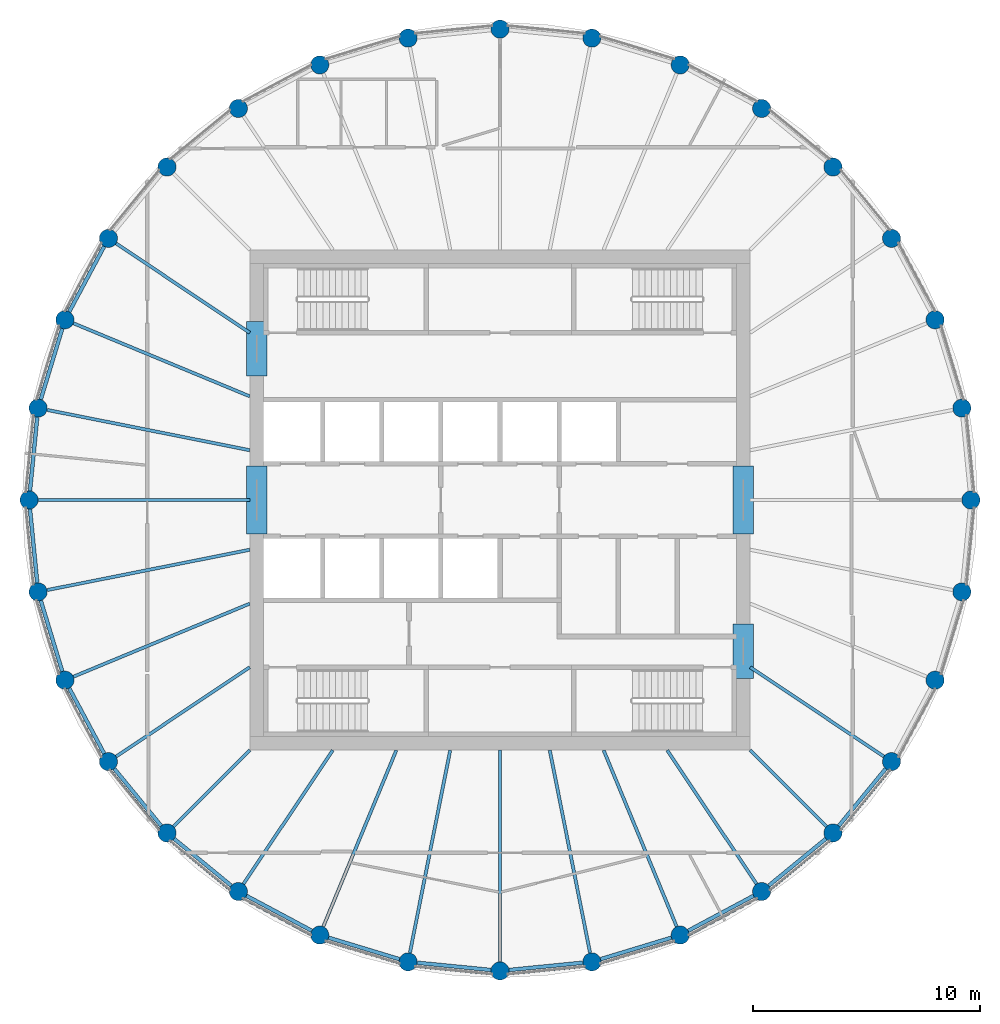
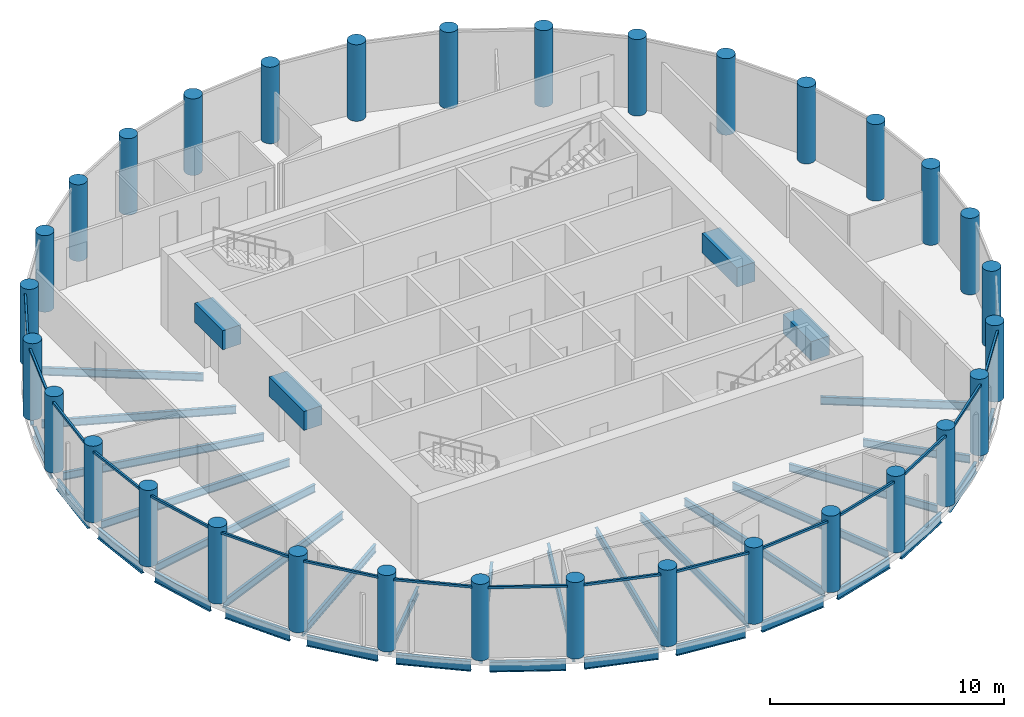
# One storey, part 1 of 7: 37 beams, 32 columns, 16 members, 16 elements without a shape of their own.
"""IFC4 building model written with IfcOpenShell, lengths in metres."""

import ifcopenshell
import ifcopenshell.guid

model = None  # the IFC model being written
_history = None  # IfcOwnerHistory: only IFC2X3 demands one
_inside = {}  # id of a spatial element -> (the spatial element, [elements in it])
_under = {}  # id of a project, library or spatial element -> (it, [spatial elements below it])
_declared = {}  # id of a project -> (the project, [libraries it declares])
_typed = {}  # id of a type object -> (the type object, [elements of that type])
_made_of = {}  # id of a material, layer set ... -> (it, [elements and type objects made of it])


def new_model(schema):
    """Start an empty IFC model of exactly this schema.

    Asked for "IFC4X3", IfcOpenShell would pick the latest addendum, in which some entities
    have other attributes; the version numbers below select the first issue.
    IFC2X3 requires an IfcOwnerHistory on every rooted entity: one is made here for all.
    """
    global model, _history
    if schema == "IFC4X3":
        model = ifcopenshell.file(schema_version=(4, 3, 0, 0))
    else:
        model = ifcopenshell.file(schema=schema)
    _inside.clear()
    _under.clear()
    _declared.clear()
    _typed.clear()
    _made_of.clear()
    _history = None
    if model.schema == "IFC2X3":
        org = make("IfcOrganization", Name="unknown")
        user = make(
            "IfcPersonAndOrganization",
            ThePerson=make("IfcPerson", FamilyName="unknown"),
            TheOrganization=org,
        )
        app = make(
            "IfcApplication",
            ApplicationDeveloper=org,
            Version="unknown",
            ApplicationFullName="unknown",
            ApplicationIdentifier="unknown",
        )
        _history = make(
            "IfcOwnerHistory",
            OwningUser=user,
            OwningApplication=app,
            ChangeAction="ADDED",
            CreationDate=0,
        )
    return model


def make(cls, **values):
    """One entity of the class cls with the attributes given. An attribute that is None is left unset."""
    return model.create_entity(
        cls, **{name: value for name, value in values.items() if value is not None}
    )


def rooted(cls, **values):
    """An entity with a GlobalId (a new one), such as an element, a storey or a relation."""
    return make(cls, GlobalId=ifcopenshell.guid.new(), OwnerHistory=_history, **values)


def si_unit(unit_type, name, prefix=None):
    """IfcSIUnit, for example si_unit("LENGTHUNIT", "METRE", prefix="MILLI")."""
    return make("IfcSIUnit", UnitType=unit_type, Prefix=prefix, Name=name)


def assignment(units):
    """IfcUnitAssignment: the units of a project."""
    return None if units is None else make("IfcUnitAssignment", Units=units)


def point(xyz):
    """IfcCartesianPoint."""
    return None if xyz is None else make("IfcCartesianPoint", Coordinates=xyz)


def direction(xyz):
    """IfcDirection."""
    return None if xyz is None else make("IfcDirection", DirectionRatios=xyz)


def frame(location, z_axis=None, x_axis=None):
    """IfcAxis2Placement3D, a coordinate frame: its origin and axes. An axis left out is left unset."""
    return make(
        "IfcAxis2Placement3D",
        Location=point(location),
        Axis=direction(z_axis),
        RefDirection=direction(x_axis),
    )


def frame_2d(location, x_axis=None):
    """IfcAxis2Placement2D, a coordinate frame in the plane: its origin and x axis."""
    return make(
        "IfcAxis2Placement2D", Location=point(location), RefDirection=direction(x_axis)
    )


def origin():
    """The frame at (0, 0, 0) with its axes left unset."""
    return frame((0.0, 0.0, 0.0))


def origin_2d():
    """The frame at (0, 0) in the plane with its x axis left unset."""
    return frame_2d((0.0, 0.0))


def place(relative_to, where):
    """IfcLocalPlacement: puts the frame where relative to a parent placement (None: the world)."""
    return make(
        "IfcLocalPlacement", PlacementRelTo=relative_to, RelativePlacement=where
    )


def context(
    kind, dimensions, precision=None, world=None, true_north=None, identifier=None
):
    """IfcGeometricRepresentationContext, for example the 3D "Model" context."""
    return make(
        "IfcGeometricRepresentationContext",
        ContextIdentifier=identifier,
        ContextType=kind,
        CoordinateSpaceDimension=dimensions,
        Precision=precision,
        WorldCoordinateSystem=world,
        TrueNorth=true_north,
    )


def subcontext(parent, identifier, kind, view, scale=None):
    """IfcGeometricRepresentationSubContext, for example "Body" below "Model"."""
    return make(
        "IfcGeometricRepresentationSubContext",
        ContextIdentifier=identifier,
        ContextType=kind,
        ParentContext=parent,
        TargetScale=scale,
        TargetView=view,
    )


def project(units=None, contexts=None):
    """IfcProject with its units and contexts."""
    return rooted(
        "IfcProject",
        Name="project",
        RepresentationContexts=contexts,
        UnitsInContext=assignment(units),
    )


def spatial(cls, under=None, at=None, **own):
    """A site, building, storey or space (cls), placed at a placement, below another one or the project."""
    s = rooted(cls, ObjectPlacement=at, **own)
    if under is not None:
        _under.setdefault(under.id(), (under, []))[1].append(s)
    return s


def profile(cls, at=None, kind="AREA", **sizes):
    """A parametric profile (cls). Its sizes go by their IFC names, for example OverallWidth=200.0."""
    return make(cls, ProfileType=kind, Position=at, **sizes)


def rectangle(**sizes):
    """IfcRectangleProfileDef."""
    return profile("IfcRectangleProfileDef", **sizes)


def circle(**sizes):
    """IfcCircleProfileDef."""
    return profile("IfcCircleProfileDef", **sizes)


def i_section(**sizes):
    """IfcIShapeProfileDef."""
    return profile("IfcIShapeProfileDef", **sizes)


def extrude(swept, where, along, depth):
    """IfcExtrudedAreaSolid: the profile swept, set in the frame where, extruded along a direction by depth."""
    return make(
        "IfcExtrudedAreaSolid",
        SweptArea=swept,
        Position=where,
        ExtrudedDirection=direction(along),
        Depth=depth,
    )


def shape(context_of_items, identifier, shape_type, items):
    """IfcShapeRepresentation: the items that make up one representation, for example the "Body"."""
    return make(
        "IfcShapeRepresentation",
        ContextOfItems=context_of_items,
        RepresentationIdentifier=identifier,
        RepresentationType=shape_type,
        Items=items,
    )


def material(Name=None, Category=None):
    """IfcMaterial."""
    return make("IfcMaterial", Name=Name, Category=Category)


def material_profile(
    of_material, cross_section, Name=None, Category=None, Priority=None
):
    """IfcMaterialProfile: a cross section and its material."""
    return make(
        "IfcMaterialProfile",
        Name=Name,
        Material=of_material,
        Profile=cross_section,
        Priority=Priority,
        Category=Category,
    )


def profile_set(profiles, Name=None, composite=None):
    """IfcMaterialProfileSet."""
    return make(
        "IfcMaterialProfileSet",
        Name=Name,
        MaterialProfiles=profiles,
        CompositeProfile=composite,
    )


def made_of(thing, what):
    """Note that an element or type object is made of a material, layer set ...; save() writes the relation."""
    if what is not None:
        _made_of.setdefault(what.id(), (what, []))[1].append(thing)
    return thing


def type_object(cls, material=None, **own):
    """A type object (cls), such as IfcWallType, which elements share."""
    return made_of(rooted(cls, **own), material)


def element(
    cls,
    number,
    at=None,
    inside=None,
    cuts=None,
    type_object=None,
    material=None,
    context=None,
    identifier="Body",
    shape_type=None,
    held_by="IfcProductDefinitionShape",
    body=None,
    shapes=None,
    **own,
):
    """One element of the class cls, such as IfcWall. Its Tag is "e" and its number.

    at: its placement. inside: the storey or other place that contains it. cuts: it is an
    opening in that element (IfcRelVoidsElement). A single representation is given by context,
    identifier, shape_type and body (its items); several are given by shapes. held_by: the class
    of the entity that holds the representations. save() writes the other relations.
    """
    e = rooted(cls, Tag="e%d" % number, ObjectPlacement=at, **own)
    if body is not None:
        shapes = [shape(context, identifier, shape_type, body)]
    if shapes is not None:
        e.Representation = make(held_by, Representations=shapes)
    if inside is not None:
        _inside.setdefault(inside.id(), (inside, []))[1].append(e)
    if cuts is not None:
        rooted(
            "IfcRelVoidsElement", RelatingBuildingElement=cuts, RelatedOpeningElement=e
        )
    if type_object is not None:
        _typed.setdefault(type_object.id(), (type_object, []))[1].append(e)
    return made_of(e, material)


def aggregate(whole, parts):
    """IfcRelAggregates: a whole, such as a stair, and the parts it consists of."""
    return rooted("IfcRelAggregates", RelatingObject=whole, RelatedObjects=parts)


def save(model, path):
    """Write the relations noted so far, then the file.

    IfcRelAggregates (storeys below a building ...), IfcRelContainedInSpatialStructure (elements
    in a storey), IfcRelDefinesByType, IfcRelAssociatesMaterial and IfcRelDeclares: one each for
    every whole, place, type object, material and project.
    """
    for whole, parts in _under.values():
        aggregate(whole, parts)
    for where, things in _inside.values():
        rooted(
            "IfcRelContainedInSpatialStructure",
            RelatedElements=things,
            RelatingStructure=where,
        )
    for kind, things in _typed.values():
        rooted("IfcRelDefinesByType", RelatedObjects=things, RelatingType=kind)
    for what, things in _made_of.values():
        rooted("IfcRelAssociatesMaterial", RelatedObjects=things, RelatingMaterial=what)
    for by, libraries in _declared.values():
        rooted("IfcRelDeclares", RelatingContext=by, RelatedDefinitions=libraries)
    model.write(path)


model = new_model("IFC4")

# Units and contexts
model_context = context("Model", 3, precision=1e-05, world=origin(), true_north=direction((0.0, 1.0)))
body_context = subcontext(model_context, "Body", "Model", "MODEL_VIEW")
ifc_project = project(units=[si_unit("LENGTHUNIT", "METRE"), si_unit("AREAUNIT", "SQUARE_METRE"), si_unit("VOLUMEUNIT", "CUBIC_METRE"), si_unit("PLANEANGLEUNIT", "RADIAN"), si_unit("MASSUNIT", "GRAM", prefix="KILO")], contexts=[model_context])

# Site, building, storey
site_placement = place(None, origin())
site = spatial("IfcSite", under=ifc_project, at=site_placement, CompositionType="ELEMENT")
building_placement = place(site_placement, origin())
building = spatial("IfcBuilding", under=site, at=building_placement, Name="Corvane Civic Tower", CompositionType="ELEMENT")
storey_placement = place(building_placement, frame((0.0, 0.0, 364.5)))
storey = spatial("IfcBuildingStorey", under=building, at=storey_placement, Name="L87", CompositionType="ELEMENT", Elevation=364.5)

# Columns
ifc_material_1 = material(Name="Concrete C60/75", Category="concrete")
ifc_material_profile_1 = material_profile(ifc_material_1, circle(Radius=0.39990234375, at=origin_2d()), Name="COLUMN 800")
ifc_profile_set_1 = profile_set([ifc_material_profile_1], Name="Concrete C60/75")
column_type = type_object("IfcColumnType", Name="RC COLUMN COLUMN 800", PredefinedType="COLUMN", material=ifc_profile_set_1)
for number, where, z_axis, x_axis, name in (
    (1, (0.0, 20.699951171875, 0.0), (0.0, 0.0, 1.0), (1.0, 0.0, 0.0), "COL-L87-F01"),
    (2, (4.038330078125, 20.30224609375, 0.0), (0.0, 0.0, 1.0), (1.0, 0.0, 0.0), "COL-L87-F02"),
    (3, (7.921630859375, 19.124267578125, 0.0), (0.0, 0.0, 1.0), (1.0, 0.0, 0.0), "COL-L87-F03"),
    (4, (11.500244140625, 17.21142578125, 0.0), (0.0, 0.0, 1.0), (1.0, 0.0, 0.0), "COL-L87-F04"),
    (5, (14.63720703125, 14.63720703125, 0.0), (0.0, 0.0, 1.0), (1.0, 0.0, 0.0), "COL-L87-F05"),
    (6, (17.21142578125, 11.500244140625, 0.0), (0.0, 0.0, 1.0), (1.0, 0.0, 0.0), "COL-L87-F06"),
    (7, (19.124267578125, 7.921630859375, 0.0), (0.0, 0.0, 1.0), (1.0, 0.0, 0.0), "COL-L87-F07"),
    (8, (20.30224609375, 4.038330078125, 0.0), (0.0, 0.0, 1.0), (1.0, 0.0, 0.0), "COL-L87-F08"),
    (9, (20.699951171875, 0.0, 0.0), (0.0, 0.0, 1.0), (1.0, 0.0, 0.0), "COL-L87-F09"),
    (10, (20.30224609375, -4.038330078125, 0.0), (0.0, 0.0, 1.0), (1.0, 0.0, 0.0), "COL-L87-F10"),
    (11, (19.124267578125, -7.921630859375, 0.0), (0.0, 0.0, 1.0), (1.0, 0.0, 0.0), "COL-L87-F11"),
    (12, (17.21142578125, -11.500244140625, 0.0), (0.0, 0.0, 1.0), (1.0, 0.0, 0.0), "COL-L87-F12"),
    (13, (14.63720703125, -14.63720703125, 0.0), (0.0, 0.0, 1.0), (1.0, 0.0, 0.0), "COL-L87-F13"),
    (14, (11.500244140625, -17.21142578125, 0.0), (0.0, 0.0, 1.0), (1.0, 0.0, 0.0), "COL-L87-F14"),
    (15, (7.921630859375, -19.124267578125, 0.0), (0.0, 0.0, 1.0), (1.0, 0.0, 0.0), "COL-L87-F15"),
    (16, (4.038330078125, -20.30224609375, 0.0), (0.0, 0.0, 1.0), (1.0, 0.0, 0.0), "COL-L87-F16"),
    (17, (0.0, -20.699951171875, 0.0), (0.0, 0.0, 1.0), (1.0, 0.0, 0.0), "COL-L87-F17"),
    (18, (-4.038330078125, -20.30224609375, 0.0), (0.0, 0.0, 1.0), (1.0, 0.0, 0.0), "COL-L87-F18"),
    (19, (-7.921630859375, -19.124267578125, 0.0), (0.0, 0.0, 1.0), (1.0, 0.0, 0.0), "COL-L87-F19"),
    (20, (-11.500244140625, -17.21142578125, 0.0), (0.0, 0.0, 1.0), (1.0, 0.0, 0.0), "COL-L87-F20"),
    (21, (-14.63720703125, -14.63720703125, 0.0), (0.0, 0.0, 1.0), (1.0, 0.0, 0.0), "COL-L87-F21"),
    (22, (-17.21142578125, -11.500244140625, 0.0), (0.0, 0.0, 1.0), (1.0, 0.0, 0.0), "COL-L87-F22"),
    (23, (-19.124267578125, -7.921630859375, 0.0), (0.0, 0.0, 1.0), (1.0, 0.0, 0.0), "COL-L87-F23"),
    (24, (-20.30224609375, -4.038330078125, 0.0), (0.0, 0.0, 1.0), (1.0, 0.0, 0.0), "COL-L87-F24"),
    (25, (-20.699951171875, 0.0, 0.0), (0.0, 0.0, 1.0), (1.0, 0.0, 0.0), "COL-L87-F25"),
    (26, (-20.30224609375, 4.038330078125, 0.0), (0.0, 0.0, 1.0), (1.0, 0.0, 0.0), "COL-L87-F26"),
    (27, (-19.124267578125, 7.921630859375, 0.0), (0.0, 0.0, 1.0), (1.0, 0.0, 0.0), "COL-L87-F27"),
    (28, (-17.21142578125, 11.500244140625, 0.0), (0.0, 0.0, 1.0), (1.0, 0.0, 0.0), "COL-L87-F28"),
    (29, (-14.63720703125, 14.63720703125, 0.0), (0.0, 0.0, 1.0), (1.0, 0.0, 0.0), "COL-L87-F29"),
    (30, (-11.500244140625, 17.21142578125, 0.0), (0.0, 0.0, 1.0), (1.0, 0.0, 0.0), "COL-L87-F30"),
    (31, (-7.921630859375, 19.124267578125, 0.0), (0.0, 0.0, 1.0), (1.0, 0.0, 0.0), "COL-L87-F31"),
    (32, (-4.038330078125, 20.30224609375, 0.0), (0.0, 0.0, 1.0), (1.0, 0.0, 0.0), "COL-L87-F32"),
):
    element("IfcColumn", number, at=place(storey_placement, frame(where, z_axis=z_axis, x_axis=x_axis)), inside=storey, type_object=column_type, Name=name, PredefinedType="COLUMN", context=body_context, shape_type="SweptSolid", body=[
        extrude(circle(Radius=0.39990234375, at=origin_2d()), origin(), (0.0, 0.0, 1.0), 4.0),
    ])

# Beams
ifc_material_2 = material(Name="Concrete C40/50", Category="concrete")
ifc_material_profile_2 = material_profile(ifc_material_2, rectangle(XDim=0.89990234375, YDim=1.0, at=origin_2d()), Name="COUPLING BEAM 900X1000")
ifc_profile_set_2 = profile_set([ifc_material_profile_2], Name="Concrete C40/50")
beam_type_1 = type_object("IfcBeamType", Name="COUPLING BEAM COUPLING BEAM 900X1000", PredefinedType="BEAM", material=ifc_profile_set_2)
for number, where, z_axis, x_axis, name in (
    (33, (-10.699951171875, -1.5, 2.60009765625), (0.0, 1.0, 0.0), (-1.0, 0.0, 0.0), "BM-L87-cpl-CW-LW"),
    (34, (10.699951171875, -1.5, 2.60009765625), (0.0, 1.0, 0.0), (-1.0, 0.0, 0.0), "BM-L87-cpl-CW-LE"),
):
    element("IfcBeam", number, at=place(storey_placement, frame(where, z_axis=z_axis, x_axis=x_axis)), inside=storey, type_object=beam_type_1, Name=name, PredefinedType="BEAM", context=body_context, shape_type="SweptSolid", body=[
        extrude(rectangle(XDim=0.89990234375, YDim=1.0, at=origin_2d()), origin(), (0.0, 0.0, 1.0), 3.0),
    ])
for number, where, z_axis, x_axis, name in (
    (35, (-10.699951171875, 5.449951171875, 2.60009765625), (0.0, 1.0, 0.0), (-1.0, 0.0, 0.0), "BM-L87-cpl-CW-WN"),
    (36, (10.699951171875, -7.85009765625, 2.60009765625), (0.0, 1.0, 0.0), (-1.0, 0.0, 0.0), "BM-L87-cpl-CW-ES"),
):
    element("IfcBeam", number, at=place(storey_placement, frame(where, z_axis=z_axis, x_axis=x_axis)), inside=storey, type_object=beam_type_1, Name=name, PredefinedType="BEAM", context=body_context, shape_type="SweptSolid", body=[
        extrude(rectangle(XDim=0.89990234375, YDim=1.0, at=origin_2d()), origin(), (0.0, 0.0, 1.0), 2.400146484375),
    ])
ifc_material_3 = material(Name="Steel ASTM A992 Gr 50", Category="steel")
ifc_material_profile_3 = material_profile(ifc_material_3, i_section(OverallWidth=0.165771484375, OverallDepth=0.5283203125, WebThickness=0.009765625, FlangeThickness=0.013671875, at=origin_2d()), Name="W21X50")
ifc_profile_set_3 = profile_set([ifc_material_profile_3], Name="Steel ASTM A992 Gr 50")
beam_type_2 = type_object("IfcBeamType", Name="EDGE BEAM W21X50", PredefinedType="BEAM", material=ifc_profile_set_3)
for number, where, z_axis, x_axis, name in (
    (37, (16.957763671875, -11.8095703125, -0.564208984375), (-0.634424551454, -0.772984791903, 0.0), (0.772984791903, -0.634424551454, 0.0), "BM-L87-E12"),
    (38, (14.327880859375, -14.890869140625, -0.564208984375), (-0.772984791903, -0.634424551454, 0.0), (0.634424551454, -0.772984791903, 0.0), "BM-L87-E13"),
    (39, (11.1474609375, -17.39990234375, -0.564208984375), (-0.881894065907, -0.471447618, 0.0), (0.471447618, -0.881894065907, 0.0), "BM-L87-E14"),
    (40, (7.538818359375, -19.240478515625, -0.564208984375), (-0.956955679349, -0.290234091317, 0.0), (0.290234091317, -0.956955679349, 0.0), "BM-L87-E15"),
):
    element("IfcBeam", number, at=place(storey_placement, frame(where, z_axis=z_axis, x_axis=x_axis)), inside=storey, type_object=beam_type_2, Name=name, PredefinedType="BEAM", context=body_context, shape_type="SweptSolid", body=[
        extrude(i_section(OverallWidth=0.165771484375, OverallDepth=0.5283203125, WebThickness=0.009765625, FlangeThickness=0.013671875, at=origin_2d()), origin(), (0.0, 0.0, 1.0), 3.2578125),
    ])
for number, where, z_axis, x_axis, name in (
    (41, (3.640380859375, -20.341552734375, -0.564208984375), (-0.995192503142, -0.097938152369, 0.0), (0.097938152369, -0.995192503142, 0.0), "BM-L87-E16"),
    (42, (-0.39794921875, -20.66064453125, -0.564208984375), (-0.995192503142, 0.097938152369, 0.0), (-0.097938152369, -0.995192503142, 0.0), "BM-L87-E17"),
):
    element("IfcBeam", number, at=place(storey_placement, frame(where, z_axis=z_axis, x_axis=x_axis)), inside=storey, type_object=beam_type_2, Name=name, PredefinedType="BEAM", context=body_context, shape_type="SweptSolid", body=[
        extrude(i_section(OverallWidth=0.165771484375, OverallDepth=0.5283203125, WebThickness=0.009765625, FlangeThickness=0.013671875, at=origin_2d()), origin(), (0.0, 0.0, 1.0), 3.258056640625),
    ])
for number, where, z_axis, x_axis, name in (
    (43, (-4.421142578125, -20.18603515625, -0.564208984375), (-0.956955679349, 0.290234091317, 0.0), (-0.290234091317, -0.956955679349, 0.0), "BM-L87-E18"),
    (44, (-8.2744140625, -18.935791015625, -0.564208984375), (-0.881894065907, 0.471447618, 0.0), (-0.471447618, -0.881894065907, 0.0), "BM-L87-E19"),
    (45, (-11.8095703125, -16.957763671875, -0.564208984375), (-0.772984791903, 0.634424551454, 0.0), (-0.634424551454, -0.772984791903, 0.0), "BM-L87-E20"),
    (46, (-14.890869140625, -14.327880859375, -0.564208984375), (-0.634424551454, 0.772984791903, 0.0), (-0.772984791903, -0.634424551454, 0.0), "BM-L87-E21"),
    (47, (-17.39990234375, -11.1474609375, -0.564208984375), (-0.471447618, 0.881894065907, 0.0), (-0.881894065907, -0.471447618, 0.0), "BM-L87-E22"),
    (48, (-19.240478515625, -7.538818359375, -0.564208984375), (-0.290234091317, 0.956955679349, 0.0), (-0.956955679349, -0.290234091317, 0.0), "BM-L87-E23"),
):
    element("IfcBeam", number, at=place(storey_placement, frame(where, z_axis=z_axis, x_axis=x_axis)), inside=storey, type_object=beam_type_2, Name=name, PredefinedType="BEAM", context=body_context, shape_type="SweptSolid", body=[
        extrude(i_section(OverallWidth=0.165771484375, OverallDepth=0.5283203125, WebThickness=0.009765625, FlangeThickness=0.013671875, at=origin_2d()), origin(), (0.0, 0.0, 1.0), 3.2578125),
    ])
for number, where, z_axis, x_axis, name in (
    (49, (-20.341552734375, -3.640380859375, -0.564208984375), (-0.097938152369, 0.995192503142, 0.0), (-0.995192503142, -0.097938152369, 0.0), "BM-L87-E24"),
    (50, (-20.66064453125, 0.39794921875, -0.564208984375), (0.097938152369, 0.995192503142, 0.0), (-0.995192503142, 0.097938152369, 0.0), "BM-L87-E25"),
):
    element("IfcBeam", number, at=place(storey_placement, frame(where, z_axis=z_axis, x_axis=x_axis)), inside=storey, type_object=beam_type_2, Name=name, PredefinedType="BEAM", context=body_context, shape_type="SweptSolid", body=[
        extrude(i_section(OverallWidth=0.165771484375, OverallDepth=0.5283203125, WebThickness=0.009765625, FlangeThickness=0.013671875, at=origin_2d()), origin(), (0.0, 0.0, 1.0), 3.258056640625),
    ])
for number, where, z_axis, x_axis, name in (
    (51, (-20.18603515625, 4.421142578125, -0.564208984375), (0.290234091317, 0.956955679349, 0.0), (-0.956955679349, 0.290234091317, 0.0), "BM-L87-E26"),
    (52, (-18.935791015625, 8.2744140625, -0.564208984375), (0.471447618, 0.881894065907, 0.0), (-0.881894065907, 0.471447618, 0.0), "BM-L87-E27"),
):
    element("IfcBeam", number, at=place(storey_placement, frame(where, z_axis=z_axis, x_axis=x_axis)), inside=storey, type_object=beam_type_2, Name=name, PredefinedType="BEAM", context=body_context, shape_type="SweptSolid", body=[
        extrude(i_section(OverallWidth=0.165771484375, OverallDepth=0.5283203125, WebThickness=0.009765625, FlangeThickness=0.013671875, at=origin_2d()), origin(), (0.0, 0.0, 1.0), 3.2578125),
    ])
ifc_material_4 = material(Name="Steel ASTM A992 Gr 50", Category="steel")
ifc_material_profile_4 = material_profile(ifc_material_4, i_section(OverallWidth=0.140380859375, OverallDepth=0.40380859375, WebThickness=0.007080078125, FlangeThickness=0.01123046875, at=origin_2d()), Name="W16X31")
ifc_profile_set_4 = profile_set([ifc_material_profile_4], Name="Steel ASTM A992 Gr 50")
beam_type_3 = type_object("IfcBeamType", Name="FLOOR GIRDER W16X31", PredefinedType="BEAM", material=ifc_profile_set_4)
beam_1_placement = place(storey_placement, frame((11.0, -7.349853515625, -0.501953125), z_axis=(0.831465490699, -0.555576401385, 0.0), x_axis=(0.555576401385, 0.831465490699, 0.0)))
element("IfcBeam", 53, at=beam_1_placement, inside=storey, type_object=beam_type_3, Name="BM-L87-G12", PredefinedType="BEAM", context=body_context, shape_type="SweptSolid", body=[
    extrude(i_section(OverallWidth=0.140380859375, OverallDepth=0.40380859375, WebThickness=0.007080078125, FlangeThickness=0.01123046875, at=origin_2d()), origin(), (0.0, 0.0, 1.0), 7.070556640625),
])
beam_2_placement = place(storey_placement, frame((11.0, -11.0, -0.501953125), z_axis=(0.707106781187, -0.707106781187, 0.0), x_axis=(0.707106781187, 0.707106781187, 0.0)))
element("IfcBeam", 54, at=beam_2_placement, inside=storey, type_object=beam_type_3, Name="BM-L87-G13", PredefinedType="BEAM", context=body_context, shape_type="SweptSolid", body=[
    extrude(i_section(OverallWidth=0.140380859375, OverallDepth=0.40380859375, WebThickness=0.007080078125, FlangeThickness=0.01123046875, at=origin_2d()), origin(), (0.0, 0.0, 1.0), 4.74365234375),
])
beam_3_placement = place(storey_placement, frame((7.349853515625, -11.0, -0.501953125), z_axis=(0.555576401385, -0.831465490699, 0.0), x_axis=(0.831465490699, 0.555576401385, 0.0)))
element("IfcBeam", 55, at=beam_3_placement, inside=storey, type_object=beam_type_3, Name="BM-L87-G14", PredefinedType="BEAM", context=body_context, shape_type="SweptSolid", body=[
    extrude(i_section(OverallWidth=0.140380859375, OverallDepth=0.40380859375, WebThickness=0.007080078125, FlangeThickness=0.01123046875, at=origin_2d()), origin(), (0.0, 0.0, 1.0), 7.070556640625),
])
beam_4_placement = place(storey_placement, frame((4.556396484375, -11.0, -0.501953125), z_axis=(0.382691739894, -0.923876091377, 0.0), x_axis=(0.923876091377, 0.382691739894, 0.0)))
element("IfcBeam", 56, at=beam_4_placement, inside=storey, type_object=beam_type_3, Name="BM-L87-G15", PredefinedType="BEAM", context=body_context, shape_type="SweptSolid", body=[
    extrude(i_section(OverallWidth=0.140380859375, OverallDepth=0.40380859375, WebThickness=0.007080078125, FlangeThickness=0.01123046875, at=origin_2d()), origin(), (0.0, 0.0, 1.0), 8.3935546875),
])
beam_5_placement = place(storey_placement, frame((2.18798828125, -11.0, -0.501953125), z_axis=(0.195108241061, -0.980781715913, 0.0), x_axis=(0.980781715913, 0.195108241061, 0.0)))
element("IfcBeam", 57, at=beam_5_placement, inside=storey, type_object=beam_type_3, Name="BM-L87-G16", PredefinedType="BEAM", context=body_context, shape_type="SweptSolid", body=[
    extrude(i_section(OverallWidth=0.140380859375, OverallDepth=0.40380859375, WebThickness=0.007080078125, FlangeThickness=0.01123046875, at=origin_2d()), origin(), (0.0, 0.0, 1.0), 9.08447265625),
])
beam_6_placement = place(storey_placement, frame((0.0, -11.0, -0.501953125), z_axis=(0.0, -1.0, 0.0), x_axis=(1.0, 0.0, 0.0)))
element("IfcBeam", 58, at=beam_6_placement, inside=storey, type_object=beam_type_3, Name="BM-L87-G17", PredefinedType="BEAM", context=body_context, shape_type="SweptSolid", body=[
    extrude(i_section(OverallWidth=0.140380859375, OverallDepth=0.40380859375, WebThickness=0.007080078125, FlangeThickness=0.01123046875, at=origin_2d()), origin(), (0.0, 0.0, 1.0), 9.300048828125),
])
beam_7_placement = place(storey_placement, frame((-2.18798828125, -11.0, -0.501953125), z_axis=(-0.195108241061, -0.980781715913, 0.0), x_axis=(0.980781715913, -0.195108241061, 0.0)))
element("IfcBeam", 59, at=beam_7_placement, inside=storey, type_object=beam_type_3, Name="BM-L87-G18", PredefinedType="BEAM", context=body_context, shape_type="SweptSolid", body=[
    extrude(i_section(OverallWidth=0.140380859375, OverallDepth=0.40380859375, WebThickness=0.007080078125, FlangeThickness=0.01123046875, at=origin_2d()), origin(), (0.0, 0.0, 1.0), 9.08447265625),
])
beam_8_placement = place(storey_placement, frame((-4.556396484375, -11.0, -0.501953125), z_axis=(-0.382691739894, -0.923876091377, 0.0), x_axis=(0.923876091377, -0.382691739894, 0.0)))
element("IfcBeam", 60, at=beam_8_placement, inside=storey, type_object=beam_type_3, Name="BM-L87-G19", PredefinedType="BEAM", context=body_context, shape_type="SweptSolid", body=[
    extrude(i_section(OverallWidth=0.140380859375, OverallDepth=0.40380859375, WebThickness=0.007080078125, FlangeThickness=0.01123046875, at=origin_2d()), origin(), (0.0, 0.0, 1.0), 8.3935546875),
])
beam_9_placement = place(storey_placement, frame((-7.349853515625, -11.0, -0.501953125), z_axis=(-0.555576401385, -0.831465490699, 0.0), x_axis=(0.831465490699, -0.555576401385, 0.0)))
element("IfcBeam", 61, at=beam_9_placement, inside=storey, type_object=beam_type_3, Name="BM-L87-G20", PredefinedType="BEAM", context=body_context, shape_type="SweptSolid", body=[
    extrude(i_section(OverallWidth=0.140380859375, OverallDepth=0.40380859375, WebThickness=0.007080078125, FlangeThickness=0.01123046875, at=origin_2d()), origin(), (0.0, 0.0, 1.0), 7.070556640625),
])
beam_10_placement = place(storey_placement, frame((-11.0, -11.0, -0.501953125), z_axis=(-0.707106781187, -0.707106781187, 0.0), x_axis=(0.707106781187, -0.707106781187, 0.0)))
element("IfcBeam", 62, at=beam_10_placement, inside=storey, type_object=beam_type_3, Name="BM-L87-G21", PredefinedType="BEAM", context=body_context, shape_type="SweptSolid", body=[
    extrude(i_section(OverallWidth=0.140380859375, OverallDepth=0.40380859375, WebThickness=0.007080078125, FlangeThickness=0.01123046875, at=origin_2d()), origin(), (0.0, 0.0, 1.0), 4.74365234375),
])
beam_11_placement = place(storey_placement, frame((-11.0, -7.349853515625, -0.501953125), z_axis=(-0.831465490699, -0.555576401385, 0.0), x_axis=(0.555576401385, -0.831465490699, 0.0)))
element("IfcBeam", 63, at=beam_11_placement, inside=storey, type_object=beam_type_3, Name="BM-L87-G22", PredefinedType="BEAM", context=body_context, shape_type="SweptSolid", body=[
    extrude(i_section(OverallWidth=0.140380859375, OverallDepth=0.40380859375, WebThickness=0.007080078125, FlangeThickness=0.01123046875, at=origin_2d()), origin(), (0.0, 0.0, 1.0), 7.070556640625),
])
beam_12_placement = place(storey_placement, frame((-11.0, -4.556396484375, -0.501953125), z_axis=(-0.923876091377, -0.382691739894, 0.0), x_axis=(0.382691739894, -0.923876091377, 0.0)))
element("IfcBeam", 64, at=beam_12_placement, inside=storey, type_object=beam_type_3, Name="BM-L87-G23", PredefinedType="BEAM", context=body_context, shape_type="SweptSolid", body=[
    extrude(i_section(OverallWidth=0.140380859375, OverallDepth=0.40380859375, WebThickness=0.007080078125, FlangeThickness=0.01123046875, at=origin_2d()), origin(), (0.0, 0.0, 1.0), 8.3935546875),
])
beam_13_placement = place(storey_placement, frame((-11.0, -2.18798828125, -0.501953125), z_axis=(-0.980781715913, -0.195108241061, 0.0), x_axis=(0.195108241061, -0.980781715913, 0.0)))
element("IfcBeam", 65, at=beam_13_placement, inside=storey, type_object=beam_type_3, Name="BM-L87-G24", PredefinedType="BEAM", context=body_context, shape_type="SweptSolid", body=[
    extrude(i_section(OverallWidth=0.140380859375, OverallDepth=0.40380859375, WebThickness=0.007080078125, FlangeThickness=0.01123046875, at=origin_2d()), origin(), (0.0, 0.0, 1.0), 9.08447265625),
])
beam_14_placement = place(storey_placement, frame((-11.0, 0.0, -0.501953125), z_axis=(-1.0, 0.0, 0.0), x_axis=(0.0, -1.0, 0.0)))
element("IfcBeam", 66, at=beam_14_placement, inside=storey, type_object=beam_type_3, Name="BM-L87-G25", PredefinedType="BEAM", context=body_context, shape_type="SweptSolid", body=[
    extrude(i_section(OverallWidth=0.140380859375, OverallDepth=0.40380859375, WebThickness=0.007080078125, FlangeThickness=0.01123046875, at=origin_2d()), origin(), (0.0, 0.0, 1.0), 9.300048828125),
])
beam_15_placement = place(storey_placement, frame((-11.0, 2.18798828125, -0.501953125), z_axis=(-0.980781715913, 0.195108241061, 0.0), x_axis=(-0.195108241061, -0.980781715913, 0.0)))
element("IfcBeam", 67, at=beam_15_placement, inside=storey, type_object=beam_type_3, Name="BM-L87-G26", PredefinedType="BEAM", context=body_context, shape_type="SweptSolid", body=[
    extrude(i_section(OverallWidth=0.140380859375, OverallDepth=0.40380859375, WebThickness=0.007080078125, FlangeThickness=0.01123046875, at=origin_2d()), origin(), (0.0, 0.0, 1.0), 9.08447265625),
])
beam_16_placement = place(storey_placement, frame((-11.0, 4.556396484375, -0.501953125), z_axis=(-0.923876091377, 0.382691739894, 0.0), x_axis=(-0.382691739894, -0.923876091377, 0.0)))
element("IfcBeam", 68, at=beam_16_placement, inside=storey, type_object=beam_type_3, Name="BM-L87-G27", PredefinedType="BEAM", context=body_context, shape_type="SweptSolid", body=[
    extrude(i_section(OverallWidth=0.140380859375, OverallDepth=0.40380859375, WebThickness=0.007080078125, FlangeThickness=0.01123046875, at=origin_2d()), origin(), (0.0, 0.0, 1.0), 8.3935546875),
])
beam_17_placement = place(storey_placement, frame((-11.0, 7.349853515625, -0.501953125), z_axis=(-0.831465490699, 0.555576401385, 0.0), x_axis=(-0.555576401385, -0.831465490699, 0.0)))
element("IfcBeam", 69, at=beam_17_placement, inside=storey, type_object=beam_type_3, Name="BM-L87-G28", PredefinedType="BEAM", context=body_context, shape_type="SweptSolid", body=[
    extrude(i_section(OverallWidth=0.140380859375, OverallDepth=0.40380859375, WebThickness=0.007080078125, FlangeThickness=0.01123046875, at=origin_2d()), origin(), (0.0, 0.0, 1.0), 7.070556640625),
])

# Curtain wall, member
ifc_material_5 = material(Name="Anodised aluminium bronze", Category="aluminium")
curtain_wall_type = type_object("IfcCurtainWallType", Name="TOWER CW-T3 STICK CURTAIN WALL", PredefinedType="NOTDEFINED", material=ifc_material_5)
curtain_wall_1_placement = place(storey_placement, origin())
curtain_wall_1 = element("IfcCurtainWall", 70, at=curtain_wall_1_placement, inside=storey, type_object=curtain_wall_type, Name="Curtain wall CW-T3 L87 bay 12", PredefinedType="NOTDEFINED")
ifc_material_6 = material(Name="Anodised aluminium bronze", Category="aluminium")
ifc_material_profile_5 = material_profile(ifc_material_6, rectangle(XDim=0.10009765625, YDim=0.1201171875, at=origin_2d()), Name="TOWER CW-T3 TRANSOM 100x120")
ifc_profile_set_5 = profile_set([ifc_material_profile_5], Name="Anodised aluminium bronze")
member_type = type_object("IfcMemberType", Name="TOWER CW-T3 TRANSOM 100x120", PredefinedType="USERDEFINED", material=ifc_profile_set_5)
member_1_placement = place(storey_placement, frame((17.14208984375, -11.8671875, 3.68994140625), z_axis=(-0.634393571736, -0.773010217358, 0.0), x_axis=(0.773010217358, -0.634393571736, 0.0)))
member_1 = element("IfcMember", 71, at=member_1_placement, type_object=member_type, Name="Transom CW-T3 L87 12.1", ObjectType="TRANSOM", PredefinedType="USERDEFINED", context=body_context, shape_type="SweptSolid", body=[
    extrude(rectangle(XDim=0.10009765625, YDim=0.1201171875, at=origin_2d()), origin(), (0.0, 0.0, 1.0), 3.40283203125),
])
aggregate(curtain_wall_1, [member_1])

curtain_wall_2_placement = place(storey_placement, origin())
curtain_wall_2 = element("IfcCurtainWall", 72, at=curtain_wall_2_placement, inside=storey, type_object=curtain_wall_type, Name="Curtain wall CW-T3 L87 bay 13", PredefinedType="NOTDEFINED")
member_2_placement = place(storey_placement, frame((14.49755859375, -14.9833984375, 3.68994140625), z_axis=(-0.773010217358, -0.634393571736, 0.0), x_axis=(0.634393571736, -0.773010217358, 0.0)))
member_2 = element("IfcMember", 73, at=member_2_placement, type_object=member_type, Name="Transom CW-T3 L87 13.1", ObjectType="TRANSOM", PredefinedType="USERDEFINED", context=body_context, shape_type="SweptSolid", body=[
    extrude(rectangle(XDim=0.10009765625, YDim=0.1201171875, at=origin_2d()), origin(), (0.0, 0.0, 1.0), 3.40283203125),
])
aggregate(curtain_wall_2, [member_2])

curtain_wall_3_placement = place(storey_placement, origin())
curtain_wall_3 = element("IfcCurtainWall", 74, at=curtain_wall_3_placement, inside=storey, type_object=curtain_wall_type, Name="Curtain wall CW-T3 L87 bay 14", PredefinedType="NOTDEFINED")
member_3_placement = place(storey_placement, frame((11.295654296875, -17.52392578125, 3.68994140625), z_axis=(-0.881941440444, -0.471358988063, 0.0), x_axis=(0.471358988063, -0.881941440444, 0.0)))
member_3 = element("IfcMember", 75, at=member_3_placement, type_object=member_type, Name="Transom CW-T3 L87 14.1", ObjectType="TRANSOM", PredefinedType="USERDEFINED", context=body_context, shape_type="SweptSolid", body=[
    extrude(rectangle(XDim=0.10009765625, YDim=0.1201171875, at=origin_2d()), origin(), (0.0, 0.0, 1.0), 3.40234375),
])
aggregate(curtain_wall_3, [member_3])

curtain_wall_4_placement = place(storey_placement, origin())
curtain_wall_4 = element("IfcCurtainWall", 76, at=curtain_wall_4_placement, inside=storey, type_object=curtain_wall_type, Name="Curtain wall CW-T3 L87 bay 15", PredefinedType="NOTDEFINED")
member_4_placement = place(storey_placement, frame((7.66015625, -19.390869140625, 3.68994140625), z_axis=(-0.956961022204, -0.290216474345, 0.0), x_axis=(0.290216474345, -0.956961022204, 0.0)))
member_4 = element("IfcMember", 77, at=member_4_placement, type_object=member_type, Name="Transom CW-T3 L87 15.1", ObjectType="TRANSOM", PredefinedType="USERDEFINED", context=body_context, shape_type="SweptSolid", body=[
    extrude(rectangle(XDim=0.10009765625, YDim=0.1201171875, at=origin_2d()), origin(), (0.0, 0.0, 1.0), 3.40283203125),
])
aggregate(curtain_wall_4, [member_4])

curtain_wall_5_placement = place(storey_placement, origin())
curtain_wall_5 = element("IfcCurtainWall", 78, at=curtain_wall_5_placement, inside=storey, type_object=curtain_wall_type, Name="Curtain wall CW-T3 L87 bay 16", PredefinedType="NOTDEFINED")
member_5_placement = place(storey_placement, frame((3.729736328125, -20.5126953125, 3.68994140625), z_axis=(-0.995191564676, -0.097947688066, 0.0), x_axis=(0.097947688066, -0.995191564676, 0.0)))
member_5 = element("IfcMember", 79, at=member_5_placement, type_object=member_type, Name="Transom CW-T3 L87 16.1", ObjectType="TRANSOM", PredefinedType="USERDEFINED", context=body_context, shape_type="SweptSolid", body=[
    extrude(rectangle(XDim=0.10009765625, YDim=0.1201171875, at=origin_2d()), origin(), (0.0, 0.0, 1.0), 3.40234375),
])
aggregate(curtain_wall_5, [member_5])

curtain_wall_6_placement = place(storey_placement, origin())
curtain_wall_6 = element("IfcCurtainWall", 80, at=curtain_wall_6_placement, inside=storey, type_object=curtain_wall_type, Name="Curtain wall CW-T3 L87 bay 17", PredefinedType="NOTDEFINED")
member_6_placement = place(storey_placement, frame((-0.34375, -20.845947265625, 3.68994140625), z_axis=(-0.995191564676, 0.097947688066, 0.0), x_axis=(-0.097947688066, -0.995191564676, 0.0)))
member_6 = element("IfcMember", 81, at=member_6_placement, type_object=member_type, Name="Transom CW-T3 L87 17.1", ObjectType="TRANSOM", PredefinedType="USERDEFINED", context=body_context, shape_type="SweptSolid", body=[
    extrude(rectangle(XDim=0.10009765625, YDim=0.1201171875, at=origin_2d()), origin(), (0.0, 0.0, 1.0), 3.40234375),
])
aggregate(curtain_wall_6, [member_6])

curtain_wall_7_placement = place(storey_placement, origin())
curtain_wall_7 = element("IfcCurtainWall", 82, at=curtain_wall_7_placement, inside=storey, type_object=curtain_wall_type, Name="Curtain wall CW-T3 L87 bay 18", PredefinedType="NOTDEFINED")
member_7_placement = place(storey_placement, frame((-4.40380859375, -20.37841796875, 3.68994140625), z_axis=(-0.956961022204, 0.290216474345, 0.0), x_axis=(-0.290216474345, -0.956961022204, 0.0)))
member_7 = element("IfcMember", 83, at=member_7_placement, type_object=member_type, Name="Transom CW-T3 L87 18.1", ObjectType="TRANSOM", PredefinedType="USERDEFINED", context=body_context, shape_type="SweptSolid", body=[
    extrude(rectangle(XDim=0.10009765625, YDim=0.1201171875, at=origin_2d()), origin(), (0.0, 0.0, 1.0), 3.40283203125),
])
aggregate(curtain_wall_7, [member_7])

curtain_wall_8_placement = place(storey_placement, origin())
curtain_wall_8 = element("IfcCurtainWall", 84, at=curtain_wall_8_placement, inside=storey, type_object=curtain_wall_type, Name="Curtain wall CW-T3 L87 bay 19", PredefinedType="NOTDEFINED")
member_8_placement = place(storey_placement, frame((-8.294921875, -19.127685546875, 3.68994140625), z_axis=(-0.881941440444, 0.471358988063, 0.0), x_axis=(-0.471358988063, -0.881941440444, 0.0)))
member_8 = element("IfcMember", 85, at=member_8_placement, type_object=member_type, Name="Transom CW-T3 L87 19.1", ObjectType="TRANSOM", PredefinedType="USERDEFINED", context=body_context, shape_type="SweptSolid", body=[
    extrude(rectangle(XDim=0.10009765625, YDim=0.1201171875, at=origin_2d()), origin(), (0.0, 0.0, 1.0), 3.40234375),
])
aggregate(curtain_wall_8, [member_8])

curtain_wall_9_placement = place(storey_placement, origin())
curtain_wall_9 = element("IfcCurtainWall", 86, at=curtain_wall_9_placement, inside=storey, type_object=curtain_wall_type, Name="Curtain wall CW-T3 L87 bay 20", PredefinedType="NOTDEFINED")
member_9_placement = place(storey_placement, frame((-11.8671875, -17.14208984375, 3.68994140625), z_axis=(-0.773010217358, 0.634393571736, 0.0), x_axis=(-0.634393571736, -0.773010217358, 0.0)))
member_9 = element("IfcMember", 87, at=member_9_placement, type_object=member_type, Name="Transom CW-T3 L87 20.1", ObjectType="TRANSOM", PredefinedType="USERDEFINED", context=body_context, shape_type="SweptSolid", body=[
    extrude(rectangle(XDim=0.10009765625, YDim=0.1201171875, at=origin_2d()), origin(), (0.0, 0.0, 1.0), 3.40283203125),
])
aggregate(curtain_wall_9, [member_9])

curtain_wall_10_placement = place(storey_placement, origin())
curtain_wall_10 = element("IfcCurtainWall", 88, at=curtain_wall_10_placement, inside=storey, type_object=curtain_wall_type, Name="Curtain wall CW-T3 L87 bay 21", PredefinedType="NOTDEFINED")
member_10_placement = place(storey_placement, frame((-14.9833984375, -14.49755859375, 3.68994140625), z_axis=(-0.634393571736, 0.773010217358, 0.0), x_axis=(-0.773010217358, -0.634393571736, 0.0)))
member_10 = element("IfcMember", 89, at=member_10_placement, type_object=member_type, Name="Transom CW-T3 L87 21.1", ObjectType="TRANSOM", PredefinedType="USERDEFINED", context=body_context, shape_type="SweptSolid", body=[
    extrude(rectangle(XDim=0.10009765625, YDim=0.1201171875, at=origin_2d()), origin(), (0.0, 0.0, 1.0), 3.40283203125),
])
aggregate(curtain_wall_10, [member_10])

curtain_wall_11_placement = place(storey_placement, origin())
curtain_wall_11 = element("IfcCurtainWall", 90, at=curtain_wall_11_placement, inside=storey, type_object=curtain_wall_type, Name="Curtain wall CW-T3 L87 bay 22", PredefinedType="NOTDEFINED")
member_11_placement = place(storey_placement, frame((-17.52392578125, -11.295654296875, 3.68994140625), z_axis=(-0.471358988063, 0.881941440444, 0.0), x_axis=(-0.881941440444, -0.471358988063, 0.0)))
member_11 = element("IfcMember", 91, at=member_11_placement, type_object=member_type, Name="Transom CW-T3 L87 22.1", ObjectType="TRANSOM", PredefinedType="USERDEFINED", context=body_context, shape_type="SweptSolid", body=[
    extrude(rectangle(XDim=0.10009765625, YDim=0.1201171875, at=origin_2d()), origin(), (0.0, 0.0, 1.0), 3.40234375),
])
aggregate(curtain_wall_11, [member_11])

curtain_wall_12_placement = place(storey_placement, origin())
curtain_wall_12 = element("IfcCurtainWall", 92, at=curtain_wall_12_placement, inside=storey, type_object=curtain_wall_type, Name="Curtain wall CW-T3 L87 bay 23", PredefinedType="NOTDEFINED")
member_12_placement = place(storey_placement, frame((-19.390869140625, -7.66015625, 3.68994140625), z_axis=(-0.290216474345, 0.956961022204, 0.0), x_axis=(-0.956961022204, -0.290216474345, 0.0)))
member_12 = element("IfcMember", 93, at=member_12_placement, type_object=member_type, Name="Transom CW-T3 L87 23.1", ObjectType="TRANSOM", PredefinedType="USERDEFINED", context=body_context, shape_type="SweptSolid", body=[
    extrude(rectangle(XDim=0.10009765625, YDim=0.1201171875, at=origin_2d()), origin(), (0.0, 0.0, 1.0), 3.40283203125),
])
aggregate(curtain_wall_12, [member_12])

curtain_wall_13_placement = place(storey_placement, origin())
curtain_wall_13 = element("IfcCurtainWall", 94, at=curtain_wall_13_placement, inside=storey, type_object=curtain_wall_type, Name="Curtain wall CW-T3 L87 bay 24", PredefinedType="NOTDEFINED")
member_13_placement = place(storey_placement, frame((-20.5126953125, -3.729736328125, 3.68994140625), z_axis=(-0.097947688066, 0.995191564676, 0.0), x_axis=(-0.995191564676, -0.097947688066, 0.0)))
member_13 = element("IfcMember", 95, at=member_13_placement, type_object=member_type, Name="Transom CW-T3 L87 24.1", ObjectType="TRANSOM", PredefinedType="USERDEFINED", context=body_context, shape_type="SweptSolid", body=[
    extrude(rectangle(XDim=0.10009765625, YDim=0.1201171875, at=origin_2d()), origin(), (0.0, 0.0, 1.0), 3.40234375),
])
aggregate(curtain_wall_13, [member_13])

curtain_wall_14_placement = place(storey_placement, origin())
curtain_wall_14 = element("IfcCurtainWall", 96, at=curtain_wall_14_placement, inside=storey, type_object=curtain_wall_type, Name="Curtain wall CW-T3 L87 bay 25", PredefinedType="NOTDEFINED")
member_14_placement = place(storey_placement, frame((-20.845947265625, 0.34375, 3.68994140625), z_axis=(0.097947688066, 0.995191564676, 0.0), x_axis=(-0.995191564676, 0.097947688066, 0.0)))
member_14 = element("IfcMember", 97, at=member_14_placement, type_object=member_type, Name="Transom CW-T3 L87 25.1", ObjectType="TRANSOM", PredefinedType="USERDEFINED", context=body_context, shape_type="SweptSolid", body=[
    extrude(rectangle(XDim=0.10009765625, YDim=0.1201171875, at=origin_2d()), origin(), (0.0, 0.0, 1.0), 3.40234375),
])
aggregate(curtain_wall_14, [member_14])

curtain_wall_15_placement = place(storey_placement, origin())
curtain_wall_15 = element("IfcCurtainWall", 98, at=curtain_wall_15_placement, inside=storey, type_object=curtain_wall_type, Name="Curtain wall CW-T3 L87 bay 26", PredefinedType="NOTDEFINED")
member_15_placement = place(storey_placement, frame((-20.37841796875, 4.40380859375, 3.68994140625), z_axis=(0.290216474345, 0.956961022204, 0.0), x_axis=(-0.956961022204, 0.290216474345, 0.0)))
member_15 = element("IfcMember", 99, at=member_15_placement, type_object=member_type, Name="Transom CW-T3 L87 26.1", ObjectType="TRANSOM", PredefinedType="USERDEFINED", context=body_context, shape_type="SweptSolid", body=[
    extrude(rectangle(XDim=0.10009765625, YDim=0.1201171875, at=origin_2d()), origin(), (0.0, 0.0, 1.0), 3.40283203125),
])
aggregate(curtain_wall_15, [member_15])

curtain_wall_16_placement = place(storey_placement, origin())
curtain_wall_16 = element("IfcCurtainWall", 100, at=curtain_wall_16_placement, inside=storey, type_object=curtain_wall_type, Name="Curtain wall CW-T3 L87 bay 27", PredefinedType="NOTDEFINED")
member_16_placement = place(storey_placement, frame((-19.127685546875, 8.294921875, 3.68994140625), z_axis=(0.471358988063, 0.881941440444, 0.0), x_axis=(-0.881941440444, 0.471358988063, 0.0)))
member_16 = element("IfcMember", 101, at=member_16_placement, type_object=member_type, Name="Transom CW-T3 L87 27.1", ObjectType="TRANSOM", PredefinedType="USERDEFINED", context=body_context, shape_type="SweptSolid", body=[
    extrude(rectangle(XDim=0.10009765625, YDim=0.1201171875, at=origin_2d()), origin(), (0.0, 0.0, 1.0), 3.40234375),
])
aggregate(curtain_wall_16, [member_16])

save(model, "model.ifc")
